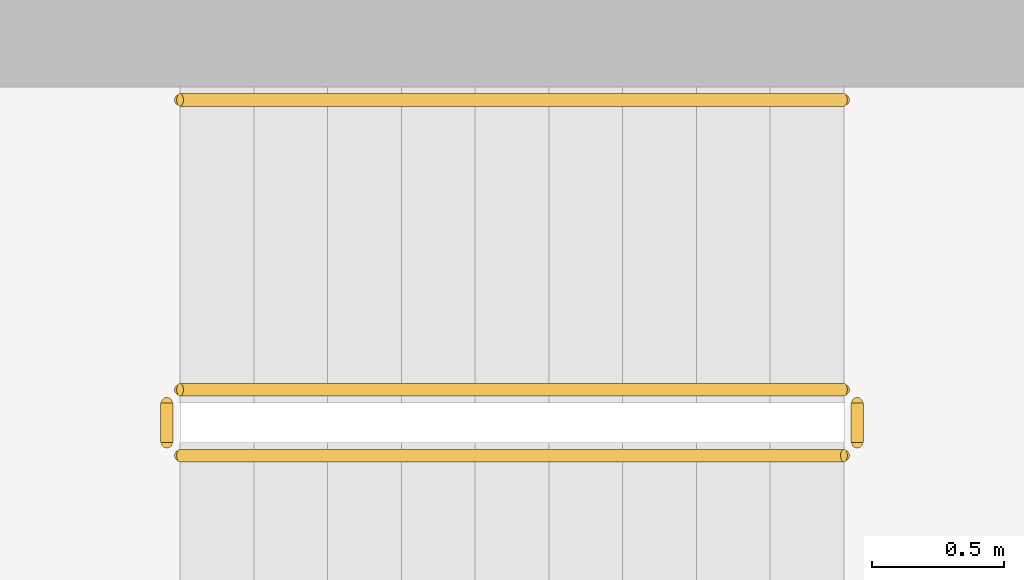
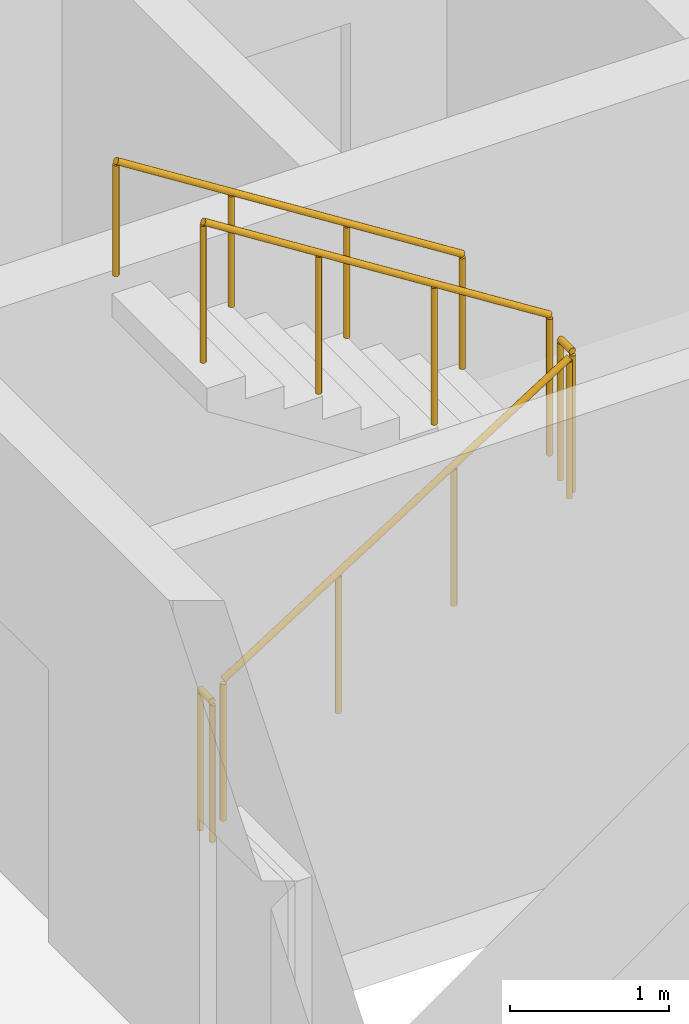
# One storey, part 11 of 13: 5 railings.
"""IFC4 building model written with IfcOpenShell, lengths in metres."""

import ifcopenshell
import ifcopenshell.guid

model = None  # the IFC model being written
_history = None  # IfcOwnerHistory: only IFC2X3 demands one
_inside = {}  # id of a spatial element -> (the spatial element, [elements in it])
_under = {}  # id of a project, library or spatial element -> (it, [spatial elements below it])
_declared = {}  # id of a project -> (the project, [libraries it declares])
_typed = {}  # id of a type object -> (the type object, [elements of that type])
_made_of = {}  # id of a material, layer set ... -> (it, [elements and type objects made of it])


def new_model(schema):
    """Start an empty IFC model of exactly this schema.

    Asked for "IFC4X3", IfcOpenShell would pick the latest addendum, in which some entities
    have other attributes; the version numbers below select the first issue.
    IFC2X3 requires an IfcOwnerHistory on every rooted entity: one is made here for all.
    """
    global model, _history
    if schema == "IFC4X3":
        model = ifcopenshell.file(schema_version=(4, 3, 0, 0))
    else:
        model = ifcopenshell.file(schema=schema)
    _inside.clear()
    _under.clear()
    _declared.clear()
    _typed.clear()
    _made_of.clear()
    _history = None
    if model.schema == "IFC2X3":
        org = make("IfcOrganization", Name="unknown")
        user = make(
            "IfcPersonAndOrganization",
            ThePerson=make("IfcPerson", FamilyName="unknown"),
            TheOrganization=org,
        )
        app = make(
            "IfcApplication",
            ApplicationDeveloper=org,
            Version="unknown",
            ApplicationFullName="unknown",
            ApplicationIdentifier="unknown",
        )
        _history = make(
            "IfcOwnerHistory",
            OwningUser=user,
            OwningApplication=app,
            ChangeAction="ADDED",
            CreationDate=0,
        )
    return model


def make(cls, **values):
    """One entity of the class cls with the attributes given. An attribute that is None is left unset."""
    return model.create_entity(
        cls, **{name: value for name, value in values.items() if value is not None}
    )


def rooted(cls, **values):
    """An entity with a GlobalId (a new one), such as an element, a storey or a relation."""
    return make(cls, GlobalId=ifcopenshell.guid.new(), OwnerHistory=_history, **values)


def si_unit(unit_type, name, prefix=None):
    """IfcSIUnit, for example si_unit("LENGTHUNIT", "METRE", prefix="MILLI")."""
    return make("IfcSIUnit", UnitType=unit_type, Prefix=prefix, Name=name)


def assignment(units):
    """IfcUnitAssignment: the units of a project."""
    return None if units is None else make("IfcUnitAssignment", Units=units)


def point(xyz):
    """IfcCartesianPoint."""
    return None if xyz is None else make("IfcCartesianPoint", Coordinates=xyz)


def direction(xyz):
    """IfcDirection."""
    return None if xyz is None else make("IfcDirection", DirectionRatios=xyz)


def frame(location, z_axis=None, x_axis=None):
    """IfcAxis2Placement3D, a coordinate frame: its origin and axes. An axis left out is left unset."""
    return make(
        "IfcAxis2Placement3D",
        Location=point(location),
        Axis=direction(z_axis),
        RefDirection=direction(x_axis),
    )


def frame_2d(location, x_axis=None):
    """IfcAxis2Placement2D, a coordinate frame in the plane: its origin and x axis."""
    return make(
        "IfcAxis2Placement2D", Location=point(location), RefDirection=direction(x_axis)
    )


def origin():
    """The frame at (0, 0, 0) with its axes left unset."""
    return frame((0.0, 0.0, 0.0))


def origin_2d():
    """The frame at (0, 0) in the plane with its x axis left unset."""
    return frame_2d((0.0, 0.0))


def place(relative_to, where):
    """IfcLocalPlacement: puts the frame where relative to a parent placement (None: the world)."""
    return make(
        "IfcLocalPlacement", PlacementRelTo=relative_to, RelativePlacement=where
    )


def context(
    kind, dimensions, precision=None, world=None, true_north=None, identifier=None
):
    """IfcGeometricRepresentationContext, for example the 3D "Model" context."""
    return make(
        "IfcGeometricRepresentationContext",
        ContextIdentifier=identifier,
        ContextType=kind,
        CoordinateSpaceDimension=dimensions,
        Precision=precision,
        WorldCoordinateSystem=world,
        TrueNorth=true_north,
    )


def subcontext(parent, identifier, kind, view, scale=None):
    """IfcGeometricRepresentationSubContext, for example "Body" below "Model"."""
    return make(
        "IfcGeometricRepresentationSubContext",
        ContextIdentifier=identifier,
        ContextType=kind,
        ParentContext=parent,
        TargetScale=scale,
        TargetView=view,
    )


def project(units=None, contexts=None):
    """IfcProject with its units and contexts."""
    return rooted(
        "IfcProject",
        Name="project",
        RepresentationContexts=contexts,
        UnitsInContext=assignment(units),
    )


def spatial(cls, under=None, at=None, **own):
    """A site, building, storey or space (cls), placed at a placement, below another one or the project."""
    s = rooted(cls, ObjectPlacement=at, **own)
    if under is not None:
        _under.setdefault(under.id(), (under, []))[1].append(s)
    return s


def profile(cls, at=None, kind="AREA", **sizes):
    """A parametric profile (cls). Its sizes go by their IFC names, for example OverallWidth=200.0."""
    return make(cls, ProfileType=kind, Position=at, **sizes)


def circle(**sizes):
    """IfcCircleProfileDef."""
    return profile("IfcCircleProfileDef", **sizes)


def extrude(swept, where, along, depth):
    """IfcExtrudedAreaSolid: the profile swept, set in the frame where, extruded along a direction by depth."""
    return make(
        "IfcExtrudedAreaSolid",
        SweptArea=swept,
        Position=where,
        ExtrudedDirection=direction(along),
        Depth=depth,
    )


def shape(context_of_items, identifier, shape_type, items):
    """IfcShapeRepresentation: the items that make up one representation, for example the "Body"."""
    return make(
        "IfcShapeRepresentation",
        ContextOfItems=context_of_items,
        RepresentationIdentifier=identifier,
        RepresentationType=shape_type,
        Items=items,
    )


def material(Name=None, Category=None):
    """IfcMaterial."""
    return make("IfcMaterial", Name=Name, Category=Category)


def made_of(thing, what):
    """Note that an element or type object is made of a material, layer set ...; save() writes the relation."""
    if what is not None:
        _made_of.setdefault(what.id(), (what, []))[1].append(thing)
    return thing


def type_object(cls, material=None, **own):
    """A type object (cls), such as IfcWallType, which elements share."""
    return made_of(rooted(cls, **own), material)


def element(
    cls,
    number,
    at=None,
    inside=None,
    cuts=None,
    type_object=None,
    material=None,
    context=None,
    identifier="Body",
    shape_type=None,
    held_by="IfcProductDefinitionShape",
    body=None,
    shapes=None,
    **own,
):
    """One element of the class cls, such as IfcWall. Its Tag is "e" and its number.

    at: its placement. inside: the storey or other place that contains it. cuts: it is an
    opening in that element (IfcRelVoidsElement). A single representation is given by context,
    identifier, shape_type and body (its items); several are given by shapes. held_by: the class
    of the entity that holds the representations. save() writes the other relations.
    """
    e = rooted(cls, Tag="e%d" % number, ObjectPlacement=at, **own)
    if body is not None:
        shapes = [shape(context, identifier, shape_type, body)]
    if shapes is not None:
        e.Representation = make(held_by, Representations=shapes)
    if inside is not None:
        _inside.setdefault(inside.id(), (inside, []))[1].append(e)
    if cuts is not None:
        rooted(
            "IfcRelVoidsElement", RelatingBuildingElement=cuts, RelatedOpeningElement=e
        )
    if type_object is not None:
        _typed.setdefault(type_object.id(), (type_object, []))[1].append(e)
    return made_of(e, material)


def aggregate(whole, parts):
    """IfcRelAggregates: a whole, such as a stair, and the parts it consists of."""
    return rooted("IfcRelAggregates", RelatingObject=whole, RelatedObjects=parts)


def save(model, path):
    """Write the relations noted so far, then the file.

    IfcRelAggregates (storeys below a building ...), IfcRelContainedInSpatialStructure (elements
    in a storey), IfcRelDefinesByType, IfcRelAssociatesMaterial and IfcRelDeclares: one each for
    every whole, place, type object, material and project.
    """
    for whole, parts in _under.values():
        aggregate(whole, parts)
    for where, things in _inside.values():
        rooted(
            "IfcRelContainedInSpatialStructure",
            RelatedElements=things,
            RelatingStructure=where,
        )
    for kind, things in _typed.values():
        rooted("IfcRelDefinesByType", RelatedObjects=things, RelatingType=kind)
    for what, things in _made_of.values():
        rooted("IfcRelAssociatesMaterial", RelatedObjects=things, RelatingMaterial=what)
    for by, libraries in _declared.values():
        rooted("IfcRelDeclares", RelatingContext=by, RelatedDefinitions=libraries)
    model.write(path)


model = new_model("IFC4")

# Units and contexts
model_context = context("Model", 3, precision=1e-05, world=origin(), true_north=direction((0.0, 1.0)))
body_context = subcontext(model_context, "Body", "Model", "MODEL_VIEW")
ifc_project = project(units=[si_unit("LENGTHUNIT", "METRE"), si_unit("AREAUNIT", "SQUARE_METRE"), si_unit("VOLUMEUNIT", "CUBIC_METRE"), si_unit("PLANEANGLEUNIT", "RADIAN"), si_unit("MASSUNIT", "GRAM", prefix="KILO")], contexts=[model_context])

# Site, building, storey
site_placement = place(None, origin())
site = spatial("IfcSite", under=ifc_project, at=site_placement, CompositionType="ELEMENT")
building_placement = place(site_placement, origin())
building = spatial("IfcBuilding", under=site, at=building_placement, Name="Ostrand Prow Hotel Tower", CompositionType="ELEMENT")
storey_placement = place(building_placement, frame((0.0, 0.0, 282.10009765625)))
storey = spatial("IfcBuildingStorey", under=building, at=storey_placement, Name="L71", CompositionType="ELEMENT", Elevation=282.10009765625)

# Railings
ifc_material_1 = material(Name="Painted steel", Category="steel")
railing_type_1 = type_object("IfcRailingType", Name="Stair guard 1100", PredefinedType="GUARDRAIL", material=ifc_material_1)
railing_1_placement = place(storey_placement, frame((57.199951171875, -11.75, 0.177490234375)))
element("IfcRailing", 1, at=railing_1_placement, inside=storey, type_object=railing_type_1, Name="L71 ST2C stair guard 1", PredefinedType="GUARDRAIL", context=body_context, shape_type="SweptSolid", body=[
    extrude(circle(Radius=0.02392578125, at=origin_2d()), frame((0.0, 0.0, 1.076171875), z_axis=(0.84460694969, 0.0, 0.535386869969), x_axis=(0.0, 1.0, 0.0)), (0.0, 0.0, 1.0), 2.983642578125),
    extrude(circle(Radius=0.02099609375, at=origin_2d()), origin(), (0.0, 0.0, 1.0), 1.052001953125),
    extrude(circle(Radius=0.02099609375, at=origin_2d()), frame((0.840087890625, 0.0, 0.532470703125)), (0.0, 0.0, 1.0), 1.052001953125),
    extrude(circle(Radius=0.02099609375, at=origin_2d()), frame((1.679931640625, 0.0, 1.06494140625)), (0.0, 0.0, 1.0), 1.052001953125),
    extrude(circle(Radius=0.02099609375, at=origin_2d()), frame((2.52001953125, 0.0, 1.597412109375)), (0.0, 0.0, 1.0), 1.052001953125),
])
railing_2_placement = place(storey_placement, frame((59.77001953125, -11.699951171875, 1.77490234375)))
element("IfcRailing", 2, at=railing_2_placement, inside=storey, type_object=railing_type_1, Name="L71 ST2C stair guard 2", PredefinedType="GUARDRAIL", context=body_context, shape_type="SweptSolid", body=[
    extrude(circle(Radius=0.02392578125, at=origin_2d()), frame((0.0, 0.0, 1.076171875), z_axis=(0.0, 1.0, 0.0), x_axis=(-1.0, 0.0, 0.0)), (0.0, 0.0, 1.0), 0.14990234375),
    extrude(circle(Radius=0.02099609375, at=origin_2d()), origin(), (0.0, 0.0, 1.0), 1.052001953125),
    extrude(circle(Radius=0.02099609375, at=origin_2d()), frame((0.0, 0.14990234375, 0.0)), (0.0, 0.0, 1.0), 1.052001953125),
])
railing_3_placement = place(storey_placement, frame((59.719970703125, -11.5, 1.952392578125)))
element("IfcRailing", 3, at=railing_3_placement, inside=storey, type_object=railing_type_1, Name="L71 ST2C stair guard 3", PredefinedType="GUARDRAIL", context=body_context, shape_type="SweptSolid", body=[
    extrude(circle(Radius=0.02392578125, at=origin_2d()), frame((0.0, 0.0, 1.076171875), z_axis=(-0.84460694969, 0.0, 0.535386869969), x_axis=(0.0, -1.0, 0.0)), (0.0, 0.0, 1.0), 2.983642578125),
    extrude(circle(Radius=0.02099609375, at=origin_2d()), origin(), (0.0, 0.0, 1.0), 1.052001953125),
    extrude(circle(Radius=0.02099609375, at=origin_2d()), frame((-0.840087890625, 0.0, 0.532470703125)), (0.0, 0.0, 1.0), 1.052001953125),
    extrude(circle(Radius=0.02099609375, at=origin_2d()), frame((-1.679931640625, 0.0, 1.06494140625)), (0.0, 0.0, 1.0), 1.052001953125),
    extrude(circle(Radius=0.02099609375, at=origin_2d()), frame((-2.52001953125, 0.0, 1.597412109375)), (0.0, 0.0, 1.0), 1.052001953125),
])
railing_4_placement = place(storey_placement, frame((57.14990234375, -11.699951171875, 0.0)))
element("IfcRailing", 4, at=railing_4_placement, inside=storey, type_object=railing_type_1, Name="L71 ST2C stair guard 4", PredefinedType="GUARDRAIL", context=body_context, shape_type="SweptSolid", body=[
    extrude(circle(Radius=0.02392578125, at=origin_2d()), frame((0.0, 0.0, 1.076171875), z_axis=(0.0, 1.0, 0.0), x_axis=(-1.0, 0.0, 0.0)), (0.0, 0.0, 1.0), 0.14990234375),
    extrude(circle(Radius=0.02099609375, at=origin_2d()), origin(), (0.0, 0.0, 1.0), 1.052001953125),
    extrude(circle(Radius=0.02099609375, at=origin_2d()), frame((0.0, 0.14990234375, 0.0)), (0.0, 0.0, 1.0), 1.052001953125),
])
ifc_material_2 = material(Name="Stainless steel", Category="steel")
railing_type_2 = type_object("IfcRailingType", Name="Stair handrail 900", PredefinedType="HANDRAIL", material=ifc_material_2)
railing_5_placement = place(storey_placement, frame((59.719970703125, -10.39990234375, 1.952392578125)))
element("IfcRailing", 5, at=railing_5_placement, inside=storey, type_object=railing_type_2, Name="L71 ST2C stair handrail 2", PredefinedType="HANDRAIL", context=body_context, shape_type="SweptSolid", body=[
    extrude(circle(Radius=0.02392578125, at=origin_2d()), frame((0.0, 0.0, 0.8759765625), z_axis=(-0.84460694969, 0.0, 0.535386869969), x_axis=(0.0, -1.0, 0.0)), (0.0, 0.0, 1.0), 2.983642578125),
    extrude(circle(Radius=0.02099609375, at=origin_2d()), origin(), (0.0, 0.0, 1.0), 0.851806640625),
    extrude(circle(Radius=0.02099609375, at=origin_2d()), frame((-0.840087890625, 0.0, 0.532470703125)), (0.0, 0.0, 1.0), 0.851806640625),
    extrude(circle(Radius=0.02099609375, at=origin_2d()), frame((-1.679931640625, 0.0, 1.06494140625)), (0.0, 0.0, 1.0), 0.851806640625),
    extrude(circle(Radius=0.02099609375, at=origin_2d()), frame((-2.52001953125, 0.0, 1.597412109375)), (0.0, 0.0, 1.0), 0.851806640625),
])

save(model, "model.ifc")
